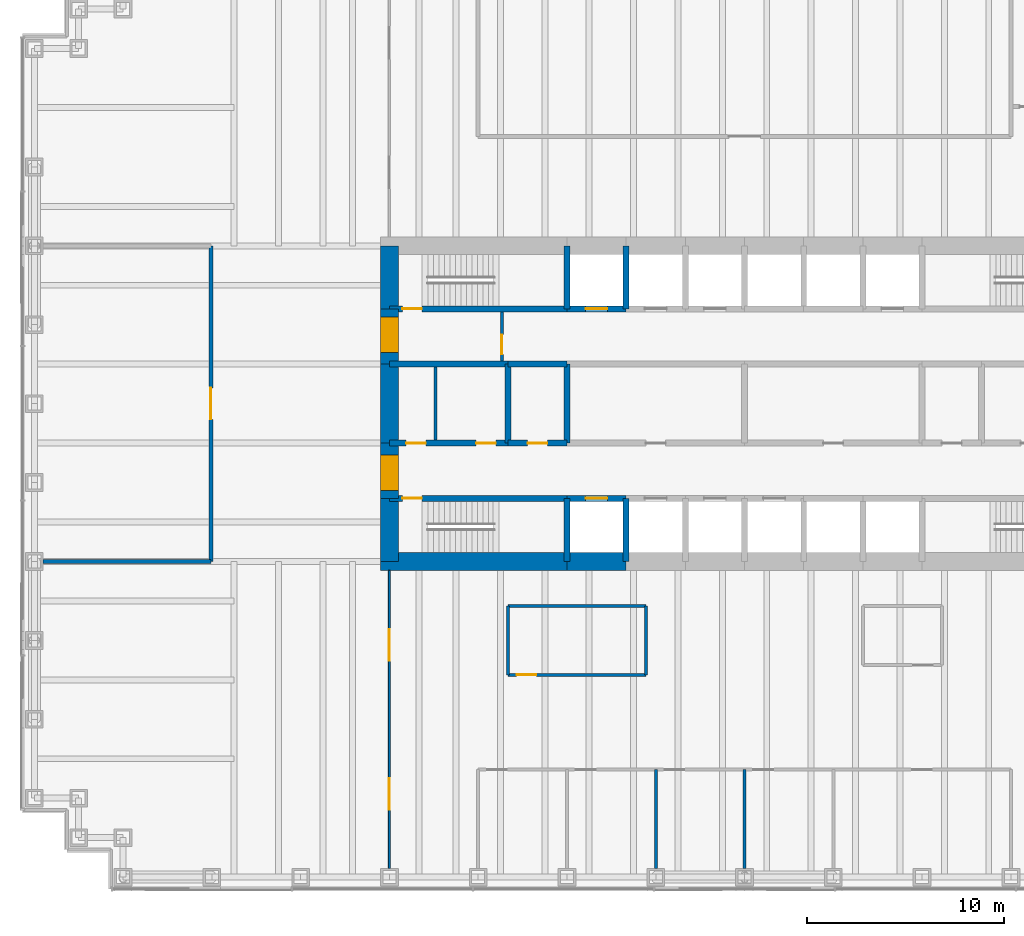
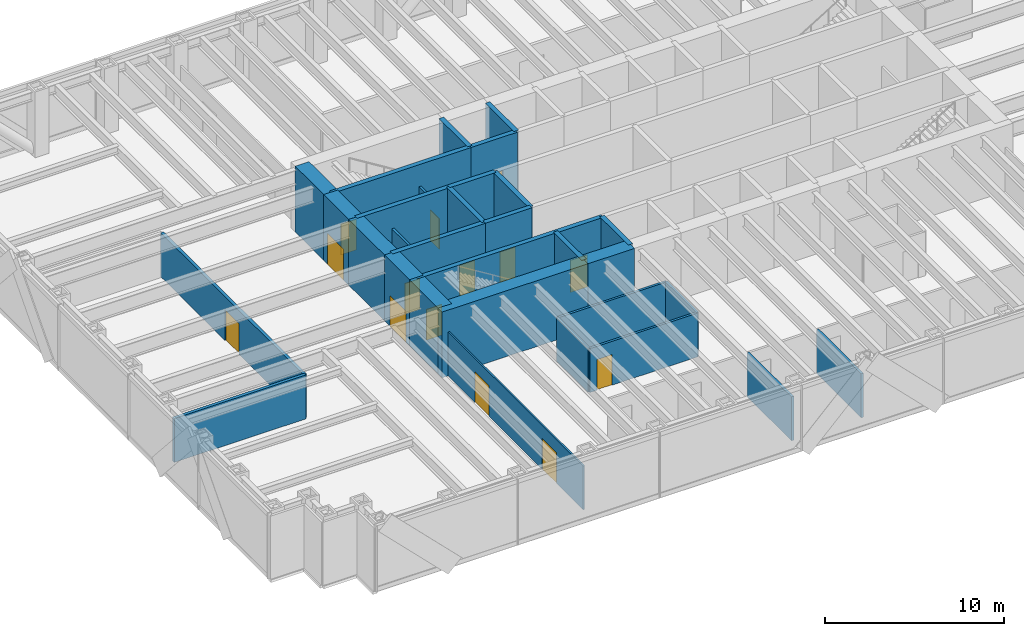
# One storey, part 9 of 13: 32 walls, 14 doors, 14 openings.
"""IFC4 building model written with IfcOpenShell, lengths in metres."""

from ifc_helpers import new_model, si_unit, direction, frame, frame_2d, origin, place, context, subcontext, project, spatial, rectangle, extrude, material, layer, layer_set, type_object, element, fill, save


model = new_model("IFC4")

# Units and contexts
model_context = context("Model", 3, precision=1e-05, world=origin(), true_north=direction((0.0, 1.0)))
body_context = subcontext(model_context, "Body", "Model", "MODEL_VIEW")
ifc_project = project(units=[si_unit("LENGTHUNIT", "METRE"), si_unit("AREAUNIT", "SQUARE_METRE"), si_unit("VOLUMEUNIT", "CUBIC_METRE"), si_unit("PLANEANGLEUNIT", "RADIAN"), si_unit("MASSUNIT", "GRAM", prefix="KILO")], contexts=[model_context])

# Site, building, storey
site_placement = place(None, origin())
site = spatial("IfcSite", under=ifc_project, at=site_placement, CompositionType="ELEMENT")
building_placement = place(site_placement, origin())
building = spatial("IfcBuilding", under=site, at=building_placement, Name="Rheinbord Bourse Tower", CompositionType="ELEMENT")
storey_placement = place(building_placement, frame((0.0, 0.0, 27.5)))
storey = spatial("IfcBuildingStorey", under=building, at=storey_placement, Name="L05", CompositionType="ELEMENT", Elevation=27.5)

# Wall
ifc_material_1 = material(Name="Acoustic gypsum board partition", Category="gypsum board")
ifc_layer_1 = layer(ifc_material_1, 0.199951171875)
ifc_layer_set_1 = layer_set([ifc_layer_1], Name="ACOUSTIC PARTITION 200")
wall_type_1 = type_object("IfcWallType", Name="ACOUSTIC PARTITION 200", PredefinedType="PARTITIONING", material=ifc_layer_set_1)
wall_1_placement = place(storey_placement, frame((0.449951171875, 16.0, 0.0), z_axis=(0.0, 0.0, 1.0), x_axis=(1.0, 0.0, 0.0)))
element("IfcWall", 1, at=wall_1_placement, inside=storey, type_object=wall_type_1, Name="Partition L05-07", PredefinedType="PARTITIONING", context=body_context, shape_type="SweptSolid", body=[
    extrude(rectangle(XDim=8.5, YDim=0.199951171875, at=frame_2d((4.25, 0.0))), origin(), (0.0, 0.0, 1.0), 3.0),
])

# Wall, opening, door
wall_2_placement = place(storey_placement, frame((8.949951171875, 16.0, 0.0), z_axis=(0.0, 0.0, 1.0), x_axis=(0.0, 1.0, 0.0)))
wall_2 = element("IfcWall", 2, at=wall_2_placement, inside=storey, type_object=wall_type_1, Name="Partition L05-17", PredefinedType="PARTITIONING", context=body_context, shape_type="SweptSolid", body=[
    extrude(rectangle(XDim=16.0, YDim=0.199951171875, at=frame_2d((8.0, 0.0))), origin(), (0.0, 0.0, 1.0), 3.0),
])
opening_1_placement = place(wall_2_placement, frame((7.199951171875, 0.0, 0.0)))
opening_1 = element("IfcOpeningElement", 3, at=opening_1_placement, cuts=wall_2, Name="Opening 05D10", PredefinedType="OPENING", context=body_context, shape_type="SweptSolid", body=[
    extrude(rectangle(XDim=1.60009765625, YDim=2.10009765625, at=frame_2d((0.800048828125, 1.050048828125))), frame((0.0, 0.10986328125, 0.0), z_axis=(0.0, -1.0, 0.0), x_axis=(1.0, 0.0, 0.0)), (0.0, 0.0, 1.0), 0.219970703125),
])
ifc_material_2 = material(Name="Timber door", Category="wood")
door_type_1 = type_object("IfcDoorType", Name="DOUBLE ROOM DOOR 1600", OperationType="DOUBLE_DOOR_DOUBLE_SWING", PredefinedType="DOOR", material=ifc_material_2)
door_1_placement = place(opening_1_placement, origin())
door_1 = element("IfcDoor", 4, at=door_1_placement, inside=storey, type_object=door_type_1, Name="Market surveillance room door L05", OperationType="SINGLE_SWING_LEFT", OverallHeight=2.10009765625, OverallWidth=1.60009765625, PredefinedType="DOOR", context=body_context, shape_type="SweptSolid", body=[
    extrude(rectangle(XDim=1.60009765625, YDim=2.10009765625, at=frame_2d((0.800048828125, 1.050048828125))), frame((0.0, 0.02490234375, 0.0), z_axis=(0.0, -1.0, 0.0), x_axis=(1.0, 0.0, 0.0)), (0.0, 0.0, 1.0), 0.050048828125),
])
fill(opening_1, door_1)

ifc_material_3 = material(Name="Concrete C50/60", Category="concrete")
ifc_layer_2 = layer(ifc_material_3, 0.300048828125)
ifc_layer_set_2 = layer_set([ifc_layer_2], Name="CORE INNER WALL 300")
wall_type_2 = type_object("IfcWallType", Name="CORE INNER WALL 300", PredefinedType="SOLIDWALL", material=ifc_layer_set_2)
wall_3_placement = place(storey_placement, frame((18.0, 19.199951171875, 0.0), z_axis=(0.0, 0.0, 1.0), x_axis=(1.0, 0.0, 0.0)))
wall_3 = element("IfcWall", 5, at=wall_3_placement, inside=storey, type_object=wall_type_2, Name="Core wall A1 L05", PredefinedType="SOLIDWALL", context=body_context, shape_type="SweptSolid", body=[
    extrude(rectangle(XDim=9.0, YDim=0.300048828125, at=frame_2d((4.5, 0.0))), origin(), (0.0, 0.0, 1.0), 4.5),
])
opening_2_placement = place(wall_3_placement, frame((0.64990234375, 0.0, 0.0)))
opening_2 = element("IfcOpeningElement", 6, at=opening_2_placement, cuts=wall_3, Name="Opening 0510", PredefinedType="OPENING", context=body_context, shape_type="SweptSolid", body=[
    extrude(rectangle(XDim=1.0, YDim=2.10009765625, at=frame_2d((0.5, 1.050048828125))), frame((0.0, 0.159912109375, 0.0), z_axis=(0.0, -1.0, 0.0), x_axis=(1.0, 0.0, 0.0)), (0.0, 0.0, 1.0), 0.320068359375),
])
ifc_material_4 = material(Name="Steel door", Category="steel")
door_type_2 = type_object("IfcDoorType", Name="DOOR 1000 EI30", OperationType="SINGLE_SWING_LEFT", PredefinedType="DOOR", material=ifc_material_4)
door_2_placement = place(opening_2_placement, origin())
door_2 = element("IfcDoor", 7, at=door_2_placement, inside=storey, type_object=door_type_2, Name="Stair door ST1 L05", OperationType="SINGLE_SWING_LEFT", OverallHeight=2.10009765625, OverallWidth=1.0, PredefinedType="DOOR", context=body_context, shape_type="SweptSolid", body=[
    extrude(rectangle(XDim=1.0, YDim=2.10009765625, at=frame_2d((0.5, 1.050048828125))), frame((0.0, 0.02490234375, 0.0), z_axis=(0.0, -1.0, 0.0), x_axis=(1.0, 0.0, 0.0)), (0.0, 0.0, 1.0), 0.050048828125),
])
fill(opening_2, door_2)

wall_4_placement = place(storey_placement, frame((27.0, 19.199951171875, 0.0), z_axis=(0.0, 0.0, 1.0), x_axis=(1.0, 0.0, 0.0)))
wall_4 = element("IfcWall", 8, at=wall_4_placement, inside=storey, type_object=wall_type_2, Name="Core wall A2 L05", PredefinedType="SOLIDWALL", context=body_context, shape_type="SweptSolid", body=[
    extrude(rectangle(XDim=3.0, YDim=0.300048828125, at=frame_2d((1.5, 0.0))), origin(), (0.0, 0.0, 1.0), 4.5),
])
opening_3_placement = place(wall_4_placement, frame((0.949951171875, 0.0, 0.0)))
opening_3 = element("IfcOpeningElement", 9, at=opening_3_placement, cuts=wall_4, Name="Opening FL1", PredefinedType="OPENING", context=body_context, shape_type="SweptSolid", body=[
    extrude(rectangle(XDim=1.10009765625, YDim=2.199951171875, at=frame_2d((0.550048828125, 1.10009765625))), frame((0.0, 0.159912109375, 0.0), z_axis=(0.0, -1.0, 0.0), x_axis=(1.0, 0.0, 0.0)), (0.0, 0.0, 1.0), 0.320068359375),
])
ifc_material_5 = material(Name="Steel landing door", Category="steel")
door_type_3 = type_object("IfcDoorType", Name="LIFT LANDING DOOR 1100", OperationType="DOUBLE_DOOR_SLIDING", PredefinedType="USERDEFINED", material=ifc_material_5)
door_3_placement = place(opening_3_placement, origin())
door_3 = element("IfcDoor", 10, at=door_3_placement, inside=storey, type_object=door_type_3, Name="Lift landing door FL1 L05", ObjectType="LIFT LANDING DOOR", OperationType="DOUBLE_DOOR_SLIDING", OverallHeight=2.199951171875, OverallWidth=1.10009765625, PredefinedType="USERDEFINED", context=body_context, shape_type="SweptSolid", body=[
    extrude(rectangle(XDim=1.10009765625, YDim=2.199951171875, at=frame_2d((0.550048828125, 1.10009765625))), frame((0.0, 0.02490234375, 0.0), z_axis=(0.0, -1.0, 0.0), x_axis=(1.0, 0.0, 0.0)), (0.0, 0.0, 1.0), 0.050048828125),
])
fill(opening_3, door_3)

wall_5_placement = place(storey_placement, frame((18.0, 28.800048828125, 0.0), z_axis=(0.0, 0.0, 1.0), x_axis=(1.0, 0.0, 0.0)))
wall_5 = element("IfcWall", 11, at=wall_5_placement, inside=storey, type_object=wall_type_2, Name="Core wall B1 L05", PredefinedType="SOLIDWALL", context=body_context, shape_type="SweptSolid", body=[
    extrude(rectangle(XDim=9.0, YDim=0.300048828125, at=frame_2d((4.5, 0.0))), origin(), (0.0, 0.0, 1.0), 4.5),
])
opening_4_placement = place(wall_5_placement, frame((0.64990234375, 0.0, 0.0)))
opening_4 = element("IfcOpeningElement", 12, at=opening_4_placement, cuts=wall_5, Name="Opening 0520", PredefinedType="OPENING", context=body_context, shape_type="SweptSolid", body=[
    extrude(rectangle(XDim=1.0, YDim=2.10009765625, at=frame_2d((0.5, 1.050048828125))), frame((0.0, 0.159912109375, 0.0), z_axis=(0.0, -1.0, 0.0), x_axis=(1.0, 0.0, 0.0)), (0.0, 0.0, 1.0), 0.320068359375),
])
door_4_placement = place(opening_4_placement, origin())
door_4 = element("IfcDoor", 13, at=door_4_placement, inside=storey, type_object=door_type_2, Name="Stair door ST2 L05", OperationType="SINGLE_SWING_LEFT", OverallHeight=2.10009765625, OverallWidth=1.0, PredefinedType="DOOR", context=body_context, shape_type="SweptSolid", body=[
    extrude(rectangle(XDim=1.0, YDim=2.10009765625, at=frame_2d((0.5, 1.050048828125))), frame((0.0, 0.02490234375, 0.0), z_axis=(0.0, -1.0, 0.0), x_axis=(1.0, 0.0, 0.0)), (0.0, 0.0, 1.0), 0.050048828125),
])
fill(opening_4, door_4)

wall_6_placement = place(storey_placement, frame((27.0, 28.800048828125, 0.0), z_axis=(0.0, 0.0, 1.0), x_axis=(1.0, 0.0, 0.0)))
wall_6 = element("IfcWall", 14, at=wall_6_placement, inside=storey, type_object=wall_type_2, Name="Core wall B2 L05", PredefinedType="SOLIDWALL", context=body_context, shape_type="SweptSolid", body=[
    extrude(rectangle(XDim=3.0, YDim=0.300048828125, at=frame_2d((1.5, 0.0))), origin(), (0.0, 0.0, 1.0), 4.5),
])
opening_5_placement = place(wall_6_placement, frame((0.949951171875, 0.0, 0.0)))
opening_5 = element("IfcOpeningElement", 15, at=opening_5_placement, cuts=wall_6, Name="Opening GL1", PredefinedType="OPENING", context=body_context, shape_type="SweptSolid", body=[
    extrude(rectangle(XDim=1.10009765625, YDim=2.199951171875, at=frame_2d((0.550048828125, 1.10009765625))), frame((0.0, 0.159912109375, 0.0), z_axis=(0.0, -1.0, 0.0), x_axis=(1.0, 0.0, 0.0)), (0.0, 0.0, 1.0), 0.320068359375),
])
door_5_placement = place(opening_5_placement, origin())
door_5 = element("IfcDoor", 16, at=door_5_placement, inside=storey, type_object=door_type_3, Name="Lift landing door GL1 L05", ObjectType="LIFT LANDING DOOR", OperationType="DOUBLE_DOOR_SLIDING", OverallHeight=2.199951171875, OverallWidth=1.10009765625, PredefinedType="USERDEFINED", context=body_context, shape_type="SweptSolid", body=[
    extrude(rectangle(XDim=1.10009765625, YDim=2.199951171875, at=frame_2d((0.550048828125, 1.10009765625))), frame((0.0, 0.02490234375, 0.0), z_axis=(0.0, -1.0, 0.0), x_axis=(1.0, 0.0, 0.0)), (0.0, 0.0, 1.0), 0.050048828125),
])
fill(opening_5, door_5)

# Wall, openings, doors
wall_7_placement = place(storey_placement, frame((18.0, 22.0, 0.0), z_axis=(0.0, 0.0, 1.0), x_axis=(1.0, 0.0, 0.0)))
wall_7 = element("IfcWall", 17, at=wall_7_placement, inside=storey, type_object=wall_type_2, Name="Core wall C1 L05", PredefinedType="SOLIDWALL", context=body_context, shape_type="SweptSolid", body=[
    extrude(rectangle(XDim=6.0, YDim=0.300048828125, at=frame_2d((3.0, 0.0))), origin(), (0.0, 0.0, 1.0), 4.5),
])
opening_6_placement = place(wall_7_placement, frame((4.39990234375, 0.0, 0.0)))
opening_6 = element("IfcOpeningElement", 18, at=opening_6_placement, cuts=wall_7, Name="Opening 05R1", PredefinedType="OPENING", context=body_context, shape_type="SweptSolid", body=[
    extrude(rectangle(XDim=1.0, YDim=2.10009765625, at=frame_2d((0.5, 1.050048828125))), frame((0.0, 0.159912109375, 0.0), z_axis=(0.0, -1.0, 0.0), x_axis=(1.0, 0.0, 0.0)), (0.0, 0.0, 1.0), 0.320068359375),
])
opening_7_placement = place(wall_7_placement, frame((0.85009765625, 0.0, 0.0)))
opening_7 = element("IfcOpeningElement", 19, at=opening_7_placement, cuts=wall_7, Name="Opening 05R9", PredefinedType="OPENING", context=body_context, shape_type="SweptSolid", body=[
    extrude(rectangle(XDim=1.0, YDim=2.10009765625, at=frame_2d((0.5, 1.050048828125))), frame((0.0, 0.159912109375, 0.0), z_axis=(0.0, -1.0, 0.0), x_axis=(1.0, 0.0, 0.0)), (0.0, 0.0, 1.0), 0.320068359375),
])
door_6_placement = place(opening_7_placement, origin())
door_6 = element("IfcDoor", 20, at=door_6_placement, inside=storey, type_object=door_type_2, Name="Staff shower door L05", OperationType="SINGLE_SWING_LEFT", OverallHeight=2.10009765625, OverallWidth=1.0, PredefinedType="DOOR", context=body_context, shape_type="SweptSolid", body=[
    extrude(rectangle(XDim=1.0, YDim=2.10009765625, at=frame_2d((0.5, 1.050048828125))), frame((0.0, 0.02490234375, 0.0), z_axis=(0.0, -1.0, 0.0), x_axis=(1.0, 0.0, 0.0)), (0.0, 0.0, 1.0), 0.050048828125),
])
fill(opening_7, door_6)
ifc_material_6 = material(Name="Timber door", Category="wood")
door_type_4 = type_object("IfcDoorType", Name="DOOR 1000 WC", OperationType="SINGLE_SWING_LEFT", PredefinedType="DOOR", material=ifc_material_6)
door_7_placement = place(opening_6_placement, origin())
door_7 = element("IfcDoor", 21, at=door_7_placement, inside=storey, type_object=door_type_4, Name="WC men door L05", OperationType="SINGLE_SWING_RIGHT", OverallHeight=2.10009765625, OverallWidth=1.0, PredefinedType="DOOR", context=body_context, shape_type="SweptSolid", body=[
    extrude(rectangle(XDim=1.0, YDim=2.10009765625, at=frame_2d((0.5, 1.050048828125))), frame((0.0, 0.02490234375, 0.0), z_axis=(0.0, -1.0, 0.0), x_axis=(1.0, 0.0, 0.0)), (0.0, 0.0, 1.0), 0.050048828125),
])
fill(opening_6, door_7)

# Wall, opening, door
wall_8_placement = place(storey_placement, frame((24.0, 22.0, 0.0), z_axis=(0.0, 0.0, 1.0), x_axis=(1.0, 0.0, 0.0)))
wall_8 = element("IfcWall", 22, at=wall_8_placement, inside=storey, type_object=wall_type_2, Name="Core wall C2 L05", PredefinedType="SOLIDWALL", context=body_context, shape_type="SweptSolid", body=[
    extrude(rectangle(XDim=3.0, YDim=0.300048828125, at=frame_2d((1.5, 0.0))), origin(), (0.0, 0.0, 1.0), 4.5),
])
opening_8_placement = place(wall_8_placement, frame((1.0, 0.0, 0.0)))
opening_8 = element("IfcOpeningElement", 23, at=opening_8_placement, cuts=wall_8, Name="Opening 05R2", PredefinedType="OPENING", context=body_context, shape_type="SweptSolid", body=[
    extrude(rectangle(XDim=1.0, YDim=2.10009765625, at=frame_2d((0.5, 1.050048828125))), frame((0.0, 0.159912109375, 0.0), z_axis=(0.0, -1.0, 0.0), x_axis=(1.0, 0.0, 0.0)), (0.0, 0.0, 1.0), 0.320068359375),
])
door_8_placement = place(opening_8_placement, origin())
door_8 = element("IfcDoor", 24, at=door_8_placement, inside=storey, type_object=door_type_4, Name="Shower and accessible WC door L05", OperationType="SINGLE_SWING_LEFT", OverallHeight=2.10009765625, OverallWidth=1.0, PredefinedType="DOOR", context=body_context, shape_type="SweptSolid", body=[
    extrude(rectangle(XDim=1.0, YDim=2.10009765625, at=frame_2d((0.5, 1.050048828125))), frame((0.0, 0.02490234375, 0.0), z_axis=(0.0, -1.0, 0.0), x_axis=(1.0, 0.0, 0.0)), (0.0, 0.0, 1.0), 0.050048828125),
])
fill(opening_8, door_8)

# Walls
wall_9_placement = place(storey_placement, frame((18.0, 26.0, 0.0), z_axis=(0.0, 0.0, 1.0), x_axis=(1.0, 0.0, 0.0)))
element("IfcWall", 25, at=wall_9_placement, inside=storey, type_object=wall_type_2, Name="Core wall D1 L05", PredefinedType="SOLIDWALL", context=body_context, shape_type="SweptSolid", body=[
    extrude(rectangle(XDim=6.0, YDim=0.300048828125, at=frame_2d((3.0, 0.0))), origin(), (0.0, 0.0, 1.0), 4.5),
])
wall_10_placement = place(storey_placement, frame((24.0, 26.0, 0.0), z_axis=(0.0, 0.0, 1.0), x_axis=(1.0, 0.0, 0.0)))
element("IfcWall", 26, at=wall_10_placement, inside=storey, type_object=wall_type_2, Name="Core wall D2 L05", PredefinedType="SOLIDWALL", context=body_context, shape_type="SweptSolid", body=[
    extrude(rectangle(XDim=3.0, YDim=0.300048828125, at=frame_2d((1.5, 0.0))), origin(), (0.0, 0.0, 1.0), 4.5),
])
for number, where, z_axis, x_axis, name in (
    (27, (27.0, 16.0, 0.0), (0.0, 0.0, 1.0), (0.0, 1.0, 0.0), "Core wall SX27 L05"),
    (28, (27.0, 28.800048828125, 0.0), (0.0, 0.0, 1.0), (0.0, 1.0, 0.0), "Core wall NX27 L05"),
    (29, (30.0, 16.0, 0.0), (0.0, 0.0, 1.0), (0.0, 1.0, 0.0), "Core wall SX30 L05"),
    (30, (30.0, 28.800048828125, 0.0), (0.0, 0.0, 1.0), (0.0, 1.0, 0.0), "Core wall NX30 L05"),
):
    element("IfcWall", number, at=place(storey_placement, frame(where, z_axis=z_axis, x_axis=x_axis)), inside=storey, type_object=wall_type_2, Name=name, PredefinedType="SOLIDWALL", context=body_context, shape_type="SweptSolid", body=[
        extrude(rectangle(XDim=3.199951171875, YDim=0.300048828125, at=frame_2d((1.60009765625, 0.0))), origin(), (0.0, 0.0, 1.0), 4.5),
    ])
for number, where, z_axis, x_axis, name in (
    (31, (24.0, 22.0, 0.0), (0.0, 0.0, 1.0), (0.0, 1.0, 0.0), "Core wall MX24 L05"),
    (32, (27.0, 22.0, 0.0), (0.0, 0.0, 1.0), (0.0, 1.0, 0.0), "Core wall MX27 L05"),
):
    element("IfcWall", number, at=place(storey_placement, frame(where, z_axis=z_axis, x_axis=x_axis)), inside=storey, type_object=wall_type_2, Name=name, PredefinedType="SOLIDWALL", context=body_context, shape_type="SweptSolid", body=[
        extrude(rectangle(XDim=4.0, YDim=0.300048828125, at=frame_2d((2.0, 0.0))), origin(), (0.0, 0.0, 1.0), 4.5),
    ])
ifc_material_7 = material(Name="Gypsum board fire partition", Category="gypsum board")
ifc_layer_3 = layer(ifc_material_7, 0.14990234375)
ifc_layer_set_3 = layer_set([ifc_layer_3], Name="CORE PARTITION 150 EI30")
wall_type_3 = type_object("IfcWallType", Name="CORE PARTITION 150 EI30", PredefinedType="PARTITIONING", material=ifc_layer_set_3)
wall_11_placement = place(storey_placement, frame((20.324951171875, 22.14990234375, 0.0), z_axis=(0.0, 0.0, 1.0), x_axis=(0.0, 1.0, 0.0)))
element("IfcWall", 33, at=wall_11_placement, inside=storey, type_object=wall_type_3, Name="Core partition L05-2", PredefinedType="PARTITIONING", context=body_context, shape_type="SweptSolid", body=[
    extrude(rectangle(XDim=3.7001953125, YDim=0.14990234375, at=frame_2d((1.85009765625, 0.0))), origin(), (0.0, 0.0, 1.0), 3.0),
])

# Wall, opening, door
wall_12_placement = place(storey_placement, frame((23.699951171875, 26.14990234375, 0.0), z_axis=(0.0, 0.0, 1.0), x_axis=(0.0, 1.0, 0.0)))
wall_12 = element("IfcWall", 34, at=wall_12_placement, inside=storey, type_object=wall_type_3, Name="Core partition L05-5", PredefinedType="PARTITIONING", context=body_context, shape_type="SweptSolid", body=[
    extrude(rectangle(XDim=2.5, YDim=0.14990234375, at=frame_2d((1.25, 0.0))), origin(), (0.0, 0.0, 1.0), 3.0),
])
opening_9_placement = place(wall_12_placement, frame((0.35009765625, 0.0, 0.0)))
opening_9 = element("IfcOpeningElement", 35, at=opening_9_placement, cuts=wall_12, Name="Opening 05L6", PredefinedType="OPENING", context=body_context, shape_type="SweptSolid", body=[
    extrude(rectangle(XDim=1.0, YDim=2.10009765625, at=frame_2d((0.5, 1.050048828125))), frame((0.0, 0.0849609375, 0.0), z_axis=(0.0, -1.0, 0.0), x_axis=(1.0, 0.0, 0.0)), (0.0, 0.0, 1.0), 0.169921875),
])
door_9_placement = place(opening_9_placement, origin())
door_9 = element("IfcDoor", 36, at=door_9_placement, inside=storey, type_object=door_type_2, Name="Stair lobby door L05", OperationType="SINGLE_SWING_LEFT", OverallHeight=2.10009765625, OverallWidth=1.0, PredefinedType="DOOR", context=body_context, shape_type="SweptSolid", body=[
    extrude(rectangle(XDim=1.0, YDim=2.10009765625, at=frame_2d((0.5, 1.050048828125))), frame((0.0, 0.02490234375, 0.0), z_axis=(0.0, -1.0, 0.0), x_axis=(1.0, 0.0, 0.0)), (0.0, 0.0, 1.0), 0.050048828125),
])
fill(opening_9, door_9)

# Walls
ifc_material_8 = material(Name="Concrete C50/60", Category="concrete")
ifc_layer_4 = layer(ifc_material_8, 0.89990234375)
ifc_layer_set_4 = layer_set([ifc_layer_4], Name="CORE WALL 900")
wall_type_4 = type_object("IfcWallType", Name="CORE WALL 900", PredefinedType="SHEAR", material=ifc_layer_set_4)
wall_13_placement = place(storey_placement, frame((17.550048828125, 16.0, 0.0), z_axis=(0.0, 0.0, 1.0), x_axis=(1.0, 0.0, 0.0)))
element("IfcWall", 37, at=wall_13_placement, inside=storey, type_object=wall_type_4, Name="Core wall S1 L05", PredefinedType="SHEAR", context=body_context, shape_type="SweptSolid", body=[
    extrude(rectangle(XDim=9.449951171875, YDim=0.89990234375, at=frame_2d((4.72509765625, 0.0))), origin(), (0.0, 0.0, 1.0), 4.5),
])
wall_14_placement = place(storey_placement, frame((27.0, 16.0, 0.0), z_axis=(0.0, 0.0, 1.0), x_axis=(1.0, 0.0, 0.0)))
element("IfcWall", 38, at=wall_14_placement, inside=storey, type_object=wall_type_4, Name="Core wall S2 L05", PredefinedType="SHEAR", context=body_context, shape_type="SweptSolid", body=[
    extrude(rectangle(XDim=3.0, YDim=0.89990234375, at=frame_2d((1.5, 0.0))), origin(), (0.0, 0.0, 1.0), 4.5),
])
wall_15_placement = place(storey_placement, frame((18.0, 32.0, 0.0), z_axis=(0.0, 0.0, 1.0), x_axis=(0.0, -1.0, 0.0)))
element("IfcWall", 39, at=wall_15_placement, inside=storey, type_object=wall_type_4, Name="Core wall W1 L05", PredefinedType="SHEAR", context=body_context, shape_type="SweptSolid", body=[
    extrude(rectangle(XDim=3.199951171875, YDim=0.89990234375, at=frame_2d((1.60009765625, 0.0))), origin(), (0.0, 0.0, 1.0), 4.5),
])

# Wall, opening, door
wall_16_placement = place(storey_placement, frame((18.0, 28.800048828125, 0.0), z_axis=(0.0, 0.0, 1.0), x_axis=(0.0, -1.0, 0.0)))
wall_16 = element("IfcWall", 40, at=wall_16_placement, inside=storey, type_object=wall_type_4, Name="Core wall W2 L05", PredefinedType="SHEAR", context=body_context, shape_type="SweptSolid", body=[
    extrude(rectangle(XDim=2.800048828125, YDim=0.89990234375, at=frame_2d((1.39990234375, 0.0))), origin(), (0.0, 0.0, 1.0), 4.5),
])
opening_10_placement = place(wall_16_placement, frame((0.39990234375, 0.0, 0.0)))
opening_10 = element("IfcOpeningElement", 41, at=opening_10_placement, cuts=wall_16, Name="Opening 05L2", PredefinedType="OPENING", context=body_context, shape_type="SweptSolid", body=[
    extrude(rectangle(XDim=1.800048828125, YDim=2.10009765625, at=frame_2d((0.89990234375, 1.050048828125))), frame((0.0, 0.4599609375, 0.0), z_axis=(0.0, -1.0, 0.0), x_axis=(1.0, 0.0, 0.0)), (0.0, 0.0, 1.0), 0.919921875),
])
ifc_material_9 = material(Name="Steel door", Category="steel")
door_type_5 = type_object("IfcDoorType", Name="DOOR 1800 EI30 DOUBLE", OperationType="DOUBLE_DOOR_DOUBLE_SWING", PredefinedType="DOOR", material=ifc_material_9)
door_10_placement = place(opening_10_placement, origin())
door_10 = element("IfcDoor", 42, at=door_10_placement, inside=storey, type_object=door_type_5, Name="Lobby door 2 L05", OperationType="SINGLE_SWING_LEFT", OverallHeight=2.10009765625, OverallWidth=1.800048828125, PredefinedType="DOOR", context=body_context, shape_type="SweptSolid", body=[
    extrude(rectangle(XDim=1.800048828125, YDim=2.10009765625, at=frame_2d((0.89990234375, 1.050048828125))), frame((0.0, 0.44970703125, 0.0), z_axis=(0.0, -1.0, 0.0), x_axis=(1.0, 0.0, 0.0)), (0.0, 0.0, 1.0), 0.8994140625),
])
fill(opening_10, door_10)

# Wall
wall_17_placement = place(storey_placement, frame((18.0, 26.0, 0.0), z_axis=(0.0, 0.0, 1.0), x_axis=(0.0, -1.0, 0.0)))
element("IfcWall", 43, at=wall_17_placement, inside=storey, type_object=wall_type_4, Name="Core wall W3 L05", PredefinedType="SHEAR", context=body_context, shape_type="SweptSolid", body=[
    extrude(rectangle(XDim=4.0, YDim=0.89990234375, at=frame_2d((2.0, 0.0))), origin(), (0.0, 0.0, 1.0), 4.5),
])

# Wall, opening, door
wall_18_placement = place(storey_placement, frame((18.0, 22.0, 0.0), z_axis=(0.0, 0.0, 1.0), x_axis=(0.0, -1.0, 0.0)))
wall_18 = element("IfcWall", 44, at=wall_18_placement, inside=storey, type_object=wall_type_4, Name="Core wall W4 L05", PredefinedType="SHEAR", context=body_context, shape_type="SweptSolid", body=[
    extrude(rectangle(XDim=2.800048828125, YDim=0.89990234375, at=frame_2d((1.39990234375, 0.0))), origin(), (0.0, 0.0, 1.0), 4.5),
])
opening_11_placement = place(wall_18_placement, frame((0.60009765625, 0.0, 0.0)))
opening_11 = element("IfcOpeningElement", 45, at=opening_11_placement, cuts=wall_18, Name="Opening 05L1", PredefinedType="OPENING", context=body_context, shape_type="SweptSolid", body=[
    extrude(rectangle(XDim=1.800048828125, YDim=2.10009765625, at=frame_2d((0.89990234375, 1.050048828125))), frame((0.0, 0.4599609375, 0.0), z_axis=(0.0, -1.0, 0.0), x_axis=(1.0, 0.0, 0.0)), (0.0, 0.0, 1.0), 0.919921875),
])
door_11_placement = place(opening_11_placement, origin())
door_11 = element("IfcDoor", 46, at=door_11_placement, inside=storey, type_object=door_type_5, Name="Lobby door 1 L05", OperationType="SINGLE_SWING_LEFT", OverallHeight=2.10009765625, OverallWidth=1.800048828125, PredefinedType="DOOR", context=body_context, shape_type="SweptSolid", body=[
    extrude(rectangle(XDim=1.800048828125, YDim=2.10009765625, at=frame_2d((0.89990234375, 1.050048828125))), frame((0.0, 0.44970703125, 0.0), z_axis=(0.0, -1.0, 0.0), x_axis=(1.0, 0.0, 0.0)), (0.0, 0.0, 1.0), 0.8994140625),
])
fill(opening_11, door_11)

# Wall
wall_19_placement = place(storey_placement, frame((18.0, 19.199951171875, 0.0), z_axis=(0.0, 0.0, 1.0), x_axis=(0.0, -1.0, 0.0)))
element("IfcWall", 47, at=wall_19_placement, inside=storey, type_object=wall_type_4, Name="Core wall W5 L05", PredefinedType="SHEAR", context=body_context, shape_type="SweptSolid", body=[
    extrude(rectangle(XDim=3.199951171875, YDim=0.89990234375, at=frame_2d((1.60009765625, 0.0))), origin(), (0.0, 0.0, 1.0), 4.5),
])

# Wall, opening, door
ifc_material_10 = material(Name="Gypsum board fire partition", Category="gypsum board")
ifc_layer_5 = layer(ifc_material_10, 0.14990234375)
ifc_layer_set_5 = layer_set([ifc_layer_5], Name="FIRE PARTITION 150 EI60")
wall_type_5 = type_object("IfcWallType", Name="FIRE PARTITION 150 EI60", PredefinedType="PARTITIONING", material=ifc_layer_set_5)
wall_20_placement = place(storey_placement, frame((24.0, 10.25, 0.0), z_axis=(0.0, 0.0, 1.0), x_axis=(1.0, 0.0, 0.0)))
wall_20 = element("IfcWall", 48, at=wall_20_placement, inside=storey, type_object=wall_type_5, Name="Partition L05-02", PredefinedType="PARTITIONING", context=body_context, shape_type="SweptSolid", body=[
    extrude(rectangle(XDim=7.0, YDim=0.14990234375, at=frame_2d((3.5, 0.0))), origin(), (0.0, 0.0, 1.0), 3.0),
])
opening_12_placement = place(wall_20_placement, frame((0.449951171875, 0.0, 0.0)))
opening_12 = element("IfcOpeningElement", 49, at=opening_12_placement, cuts=wall_20, Name="Opening 05D06", PredefinedType="OPENING", context=body_context, shape_type="SweptSolid", body=[
    extrude(rectangle(XDim=1.0, YDim=2.10009765625, at=frame_2d((0.5, 1.050048828125))), frame((0.0, 0.0849609375, 0.0), z_axis=(0.0, -1.0, 0.0), x_axis=(1.0, 0.0, 0.0)), (0.0, 0.0, 1.0), 0.169921875),
])
ifc_material_11 = material(Name="Timber fire door", Category="wood")
door_type_6 = type_object("IfcDoorType", Name="FIRE DOOR 1000 EI60", OperationType="SINGLE_SWING_LEFT", PredefinedType="DOOR", material=ifc_material_11)
door_12_placement = place(opening_12_placement, origin())
door_12 = element("IfcDoor", 50, at=door_12_placement, inside=storey, type_object=door_type_6, Name="Comms room door L05", OperationType="SINGLE_SWING_LEFT", OverallHeight=2.10009765625, OverallWidth=1.0, PredefinedType="DOOR", context=body_context, shape_type="SweptSolid", body=[
    extrude(rectangle(XDim=1.0, YDim=2.10009765625, at=frame_2d((0.5, 1.050048828125))), frame((0.0, 0.02490234375, 0.0), z_axis=(0.0, -1.0, 0.0), x_axis=(1.0, 0.0, 0.0)), (0.0, 0.0, 1.0), 0.050048828125),
])
fill(opening_12, door_12)

# Walls
wall_21_placement = place(storey_placement, frame((24.0, 13.75, 0.0), z_axis=(0.0, 0.0, 1.0), x_axis=(1.0, 0.0, 0.0)))
element("IfcWall", 51, at=wall_21_placement, inside=storey, type_object=wall_type_5, Name="Partition L05-04", PredefinedType="PARTITIONING", context=body_context, shape_type="SweptSolid", body=[
    extrude(rectangle(XDim=7.0, YDim=0.14990234375, at=frame_2d((3.5, 0.0))), origin(), (0.0, 0.0, 1.0), 3.0),
])
for number, where, z_axis, x_axis, name in (
    (52, (24.0, 10.25, 0.0), (0.0, 0.0, 1.0), (0.0, 1.0, 0.0), "Partition L05-22"),
    (53, (31.0, 10.25, 0.0), (0.0, 0.0, 1.0), (0.0, 1.0, 0.0), "Partition L05-24"),
):
    element("IfcWall", number, at=place(storey_placement, frame(where, z_axis=z_axis, x_axis=x_axis)), inside=storey, type_object=wall_type_5, Name=name, PredefinedType="PARTITIONING", context=body_context, shape_type="SweptSolid", body=[
        extrude(rectangle(XDim=3.5, YDim=0.14990234375, at=frame_2d((1.75, 0.0))), origin(), (0.0, 0.0, 1.0), 3.0),
    ])

# Wall, openings, doors
ifc_material_12 = material(Name="Toughened laminated glass partition", Category="glass")
ifc_layer_6 = layer(ifc_material_12, 0.10009765625)
ifc_layer_set_6 = layer_set([ifc_layer_6], Name="GLAZED PARTITION 100")
wall_type_6 = type_object("IfcWallType", Name="GLAZED PARTITION 100", PredefinedType="PARTITIONING", material=ifc_layer_set_6)
wall_22_placement = place(storey_placement, frame((18.0, 0.449951171875, 0.0), z_axis=(0.0, 0.0, 1.0), x_axis=(0.0, 1.0, 0.0)))
wall_22 = element("IfcWall", 54, at=wall_22_placement, inside=storey, type_object=wall_type_6, Name="Partition L05-18", PredefinedType="PARTITIONING", context=body_context, shape_type="SweptSolid", body=[
    extrude(rectangle(XDim=15.10009765625, YDim=0.10009765625, at=frame_2d((7.550048828125, 0.0))), origin(), (0.0, 0.0, 1.0), 3.0),
])
opening_13_placement = place(wall_22_placement, frame((2.97509765625, 0.0, 0.0)))
opening_13 = element("IfcOpeningElement", 55, at=opening_13_placement, cuts=wall_22, Name="Opening 05D15", PredefinedType="OPENING", context=body_context, shape_type="SweptSolid", body=[
    extrude(rectangle(XDim=1.60009765625, YDim=2.10009765625, at=frame_2d((0.800048828125, 1.050048828125))), frame((0.0, 0.06005859375, 0.0), z_axis=(0.0, -1.0, 0.0), x_axis=(1.0, 0.0, 0.0)), (0.0, 0.0, 1.0), 0.1201171875),
])
opening_14_placement = place(wall_22_placement, frame((10.52490234375, 0.0, 0.0)))
opening_14 = element("IfcOpeningElement", 56, at=opening_14_placement, cuts=wall_22, Name="Opening 05D16", PredefinedType="OPENING", context=body_context, shape_type="SweptSolid", body=[
    extrude(rectangle(XDim=1.60009765625, YDim=2.10009765625, at=frame_2d((0.800048828125, 1.050048828125))), frame((0.0, 0.06005859375, 0.0), z_axis=(0.0, -1.0, 0.0), x_axis=(1.0, 0.0, 0.0)), (0.0, 0.0, 1.0), 0.1201171875),
])
door_13_placement = place(opening_13_placement, origin())
door_13 = element("IfcDoor", 57, at=door_13_placement, inside=storey, type_object=door_type_1, Name="Open area door L05", OperationType="SINGLE_SWING_LEFT", OverallHeight=2.10009765625, OverallWidth=1.60009765625, PredefinedType="DOOR", context=body_context, shape_type="SweptSolid", body=[
    extrude(rectangle(XDim=1.60009765625, YDim=2.10009765625, at=frame_2d((0.800048828125, 1.050048828125))), frame((0.0, 0.02490234375, 0.0), z_axis=(0.0, -1.0, 0.0), x_axis=(1.0, 0.0, 0.0)), (0.0, 0.0, 1.0), 0.050048828125),
])
fill(opening_13, door_13)
door_14_placement = place(opening_14_placement, origin())
door_14 = element("IfcDoor", 58, at=door_14_placement, inside=storey, type_object=door_type_1, Name="Open area door L05", OperationType="SINGLE_SWING_LEFT", OverallHeight=2.10009765625, OverallWidth=1.60009765625, PredefinedType="DOOR", context=body_context, shape_type="SweptSolid", body=[
    extrude(rectangle(XDim=1.60009765625, YDim=2.10009765625, at=frame_2d((0.800048828125, 1.050048828125))), frame((0.0, 0.02490234375, 0.0), z_axis=(0.0, -1.0, 0.0), x_axis=(1.0, 0.0, 0.0)), (0.0, 0.0, 1.0), 0.050048828125),
])
fill(opening_14, door_14)

# Walls
ifc_material_13 = material(Name="Gypsum board partition", Category="gypsum board")
ifc_layer_7 = layer(ifc_material_13, 0.14990234375)
ifc_layer_set_7 = layer_set([ifc_layer_7], Name="PARTITION 150")
wall_type_7 = type_object("IfcWallType", Name="PARTITION 150", PredefinedType="PARTITIONING", material=ifc_layer_set_7)
for number, where, z_axis, x_axis, name in (
    (59, (31.5, 0.449951171875, 0.0), (0.0, 0.0, 1.0), (0.0, 1.0, 0.0), "Partition L05-25"),
    (60, (36.0, 0.449951171875, 0.0), (0.0, 0.0, 1.0), (0.0, 1.0, 0.0), "Partition L05-26"),
):
    element("IfcWall", number, at=place(storey_placement, frame(where, z_axis=z_axis, x_axis=x_axis)), inside=storey, type_object=wall_type_7, Name=name, PredefinedType="PARTITIONING", context=body_context, shape_type="SweptSolid", body=[
        extrude(rectangle(XDim=5.0, YDim=0.14990234375, at=frame_2d((2.5, 0.0))), origin(), (0.0, 0.0, 1.0), 3.0),
    ])

save(model, "model.ifc")
